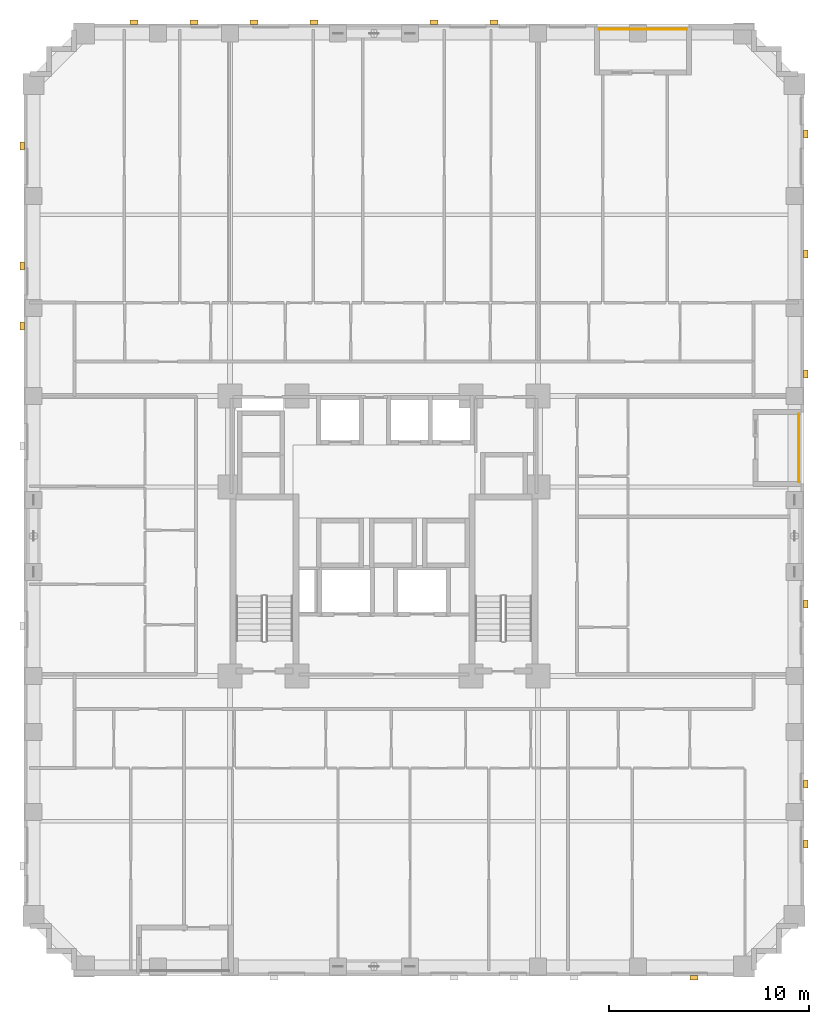
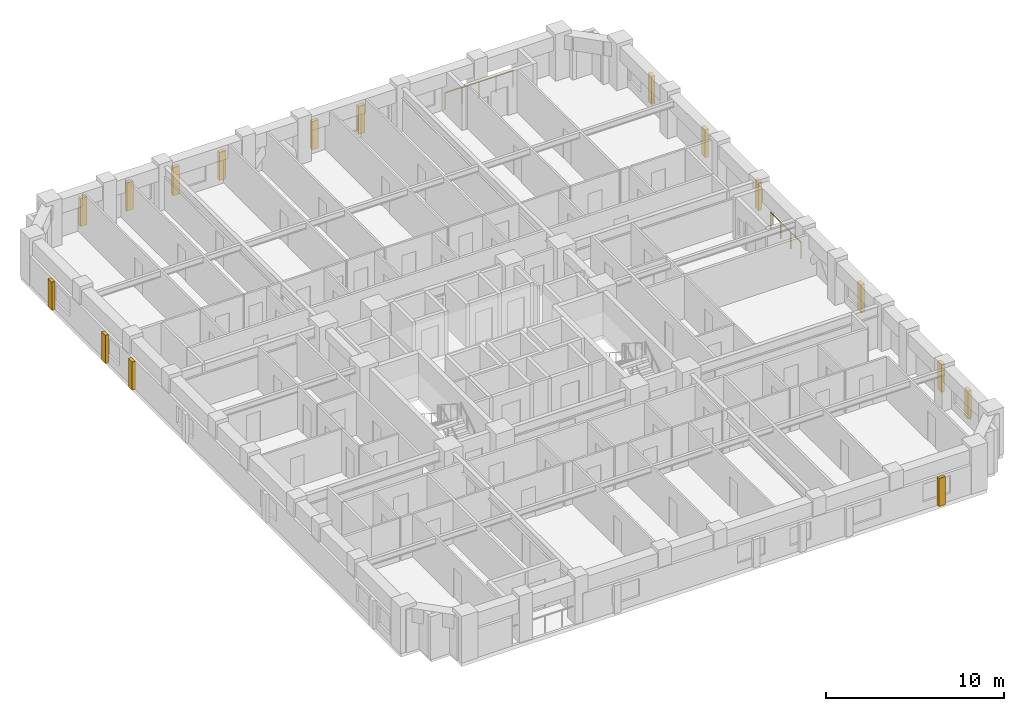
# One storey, part 14 of 14: 16 coverings, 2 railings.
"""IFC4 building model written with IfcOpenShell, lengths in metres."""

from ifc_helpers import new_model, si_unit, derived_unit, direction, frame, origin, origin_2d, place, context, subcontext, project, spatial, rectangle, circle, extrude, material, layer, layer_set, type_object, element, save


model = new_model("IFC4")

# Units and contexts
model_context = context("Model", 3, precision=1e-05, world=origin(), true_north=direction((0.0, 1.0)))
body_context = subcontext(model_context, "Body", "Model", "MODEL_VIEW")
ifc_project = project(units=[si_unit("LENGTHUNIT", "METRE"), si_unit("AREAUNIT", "SQUARE_METRE"), si_unit("VOLUMEUNIT", "CUBIC_METRE"), si_unit("PLANEANGLEUNIT", "RADIAN"), si_unit("MASSUNIT", "GRAM", prefix="KILO"), derived_unit("THERMALTRANSMITTANCEUNIT", [(si_unit("MASSUNIT", "GRAM", prefix="KILO"), 1), (si_unit("TIMEUNIT", "SECOND"), -3), (si_unit("THERMODYNAMICTEMPERATUREUNIT", "KELVIN"), -1)])], contexts=[model_context])

# Site, building, storey
site_placement = place(None, origin())
site = spatial("IfcSite", under=ifc_project, at=site_placement, CompositionType="ELEMENT")
building_placement = place(site_placement, origin())
building = spatial("IfcBuilding", under=site, at=building_placement, Name="Korrvale Station Residences", CompositionType="ELEMENT")
storey_placement = place(building_placement, frame((0.0, 0.0, 48.199951171875)))
storey = spatial("IfcBuildingStorey", under=building, at=storey_placement, Name="L12", CompositionType="ELEMENT", Elevation=48.199951171875)

# Coverings
ifc_material_1 = material(Name="Architectural precast concrete C45/55", Category="concrete")
ifc_layer = layer(ifc_material_1, 0.219970703125, Name="Architectural precast concrete C45/55")
ifc_layer_set = layer_set([ifc_layer], Name="Architectural precast concrete C45/55")
covering_type = type_object("IfcCoveringType", Name="COV-PIER-400", PredefinedType="CLADDING", material=ifc_layer_set)
for number, where, z_axis, x_axis, name in (
    (1, (41.0, -0.090087890625, 0.02490234375), (0.0, 0.0, 1.0), (1.0, 0.0, 0.0), "L12 Architectural Precast Facade Pier 01"),
    (2, (13.0, 47.68994140625, 0.02490234375), (0.0, 0.0, 1.0), (1.0, 0.0, 0.0), "L12 Architectural Precast Facade Pier 06"),
    (3, (16.0, 47.68994140625, 0.02490234375), (0.0, 0.0, 1.0), (1.0, 0.0, 0.0), "L12 Architectural Precast Facade Pier 07"),
    (4, (19.0, 47.68994140625, 0.02490234375), (0.0, 0.0, 1.0), (1.0, 0.0, 0.0), "L12 Architectural Precast Facade Pier 08"),
    (5, (22.0, 47.68994140625, 0.02490234375), (0.0, 0.0, 1.0), (1.0, 0.0, 0.0), "L12 Architectural Precast Facade Pier 09"),
    (6, (28.0, 47.68994140625, 0.02490234375), (0.0, 0.0, 1.0), (1.0, 0.0, 0.0), "L12 Architectural Precast Facade Pier 10"),
    (7, (31.0, 47.68994140625, 0.02490234375), (0.0, 0.0, 1.0), (1.0, 0.0, 0.0), "L12 Architectural Precast Facade Pier 11"),
    (8, (7.409912109375, 32.5, 0.02490234375), (0.0, 0.0, 1.0), (0.0, 1.0, 0.0), "L12 Architectural Precast Facade Pier 15"),
    (9, (7.409912109375, 35.5, 0.02490234375), (0.0, 0.0, 1.0), (0.0, 1.0, 0.0), "L12 Architectural Precast Facade Pier 16"),
    (10, (7.409912109375, 41.5, 0.02490234375), (0.0, 0.0, 1.0), (0.0, 1.0, 0.0), "L12 Architectural Precast Facade Pier 17"),
    (11, (46.590087890625, 42.10009765625, 0.02490234375), (0.0, 0.0, 1.0), (0.0, 1.0, 0.0), "L12 Architectural Precast Facade Pier 18"),
    (12, (46.590087890625, 36.10009765625, 0.02490234375), (0.0, 0.0, 1.0), (0.0, 1.0, 0.0), "L12 Architectural Precast Facade Pier 19"),
    (13, (46.590087890625, 30.10009765625, 0.02490234375), (0.0, 0.0, 1.0), (0.0, 1.0, 0.0), "L12 Architectural Precast Facade Pier 20"),
    (14, (46.590087890625, 18.60009765625, 0.02490234375), (0.0, 0.0, 1.0), (0.0, 1.0, 0.0), "L12 Architectural Precast Facade Pier 21"),
    (15, (46.590087890625, 9.60009765625, 0.02490234375), (0.0, 0.0, 1.0), (0.0, 1.0, 0.0), "L12 Architectural Precast Facade Pier 22"),
    (16, (46.590087890625, 6.60009765625, 0.02490234375), (0.0, 0.0, 1.0), (0.0, 1.0, 0.0), "L12 Architectural Precast Facade Pier 23"),
):
    element("IfcCovering", number, at=place(storey_placement, frame(where, z_axis=z_axis, x_axis=x_axis)), inside=storey, type_object=covering_type, Name=name, PredefinedType="CLADDING", context=body_context, shape_type="SweptSolid", body=[
        extrude(rectangle(XDim=0.419921875, YDim=0.219970703125, at=origin_2d()), origin(), (0.0, 0.0, 1.0), 1.925048828125),
    ])

# Railings
ifc_material_2 = material(Name="Powder-coated aluminium picket loggia guard", Category="aluminium")
railing_type = type_object("IfcRailingType", Name="RLG-BAL-1150", PredefinedType="GUARDRAIL", material=ifc_material_2)
railing_1_placement = place(storey_placement, frame((36.25, 47.330078125, 0.0)))
element("IfcRailing", 17, at=railing_1_placement, inside=storey, type_object=railing_type, Name="L12 Recessed Loggia Guardrail BAL-L12-N1", PredefinedType="GUARDRAIL", context=body_context, shape_type="SweptSolid", body=[
    extrude(circle(Radius=0.02392578125, at=origin_2d()), frame((0.0, 0.0, 1.1259765625), z_axis=(1.0, 0.0, 0.0), x_axis=(0.0, 1.0, 0.0)), (0.0, 0.0, 1.0), 4.39990234375),
    extrude(circle(Radius=0.02099609375, at=origin_2d()), origin(), (0.0, 0.0, 1.0), 1.101806640625),
    extrude(circle(Radius=0.02099609375, at=origin_2d()), frame((1.10009765625, 0.0, 0.0)), (0.0, 0.0, 1.0), 1.101806640625),
    extrude(circle(Radius=0.02099609375, at=origin_2d()), frame((2.199951171875, 0.0, 0.0)), (0.0, 0.0, 1.0), 1.101806640625),
    extrude(circle(Radius=0.02099609375, at=origin_2d()), frame((3.2998046875, 0.0, 0.0)), (0.0, 0.0, 1.0), 1.101806640625),
    extrude(circle(Radius=0.02099609375, at=origin_2d()), frame((4.39990234375, 0.0, 0.0)), (0.0, 0.0, 1.0), 1.101806640625),
])
railing_2_placement = place(storey_placement, frame((46.22998046875, 24.699951171875, 0.0)))
element("IfcRailing", 18, at=railing_2_placement, inside=storey, type_object=railing_type, Name="L12 Recessed Loggia Guardrail BAL-L12-E1", PredefinedType="GUARDRAIL", context=body_context, shape_type="SweptSolid", body=[
    extrude(circle(Radius=0.02392578125, at=origin_2d()), frame((0.0, 0.0, 1.1259765625), z_axis=(0.0, 1.0, 0.0), x_axis=(-1.0, 0.0, 0.0)), (0.0, 0.0, 1.0), 3.400146484375),
    extrude(circle(Radius=0.02099609375, at=origin_2d()), origin(), (0.0, 0.0, 1.0), 1.101806640625),
    extrude(circle(Radius=0.02099609375, at=origin_2d()), frame((0.0, 1.13330078125, 0.0)), (0.0, 0.0, 1.0), 1.101806640625),
    extrude(circle(Radius=0.02099609375, at=origin_2d()), frame((0.0, 2.266845703125, 0.0)), (0.0, 0.0, 1.0), 1.101806640625),
    extrude(circle(Radius=0.02099609375, at=origin_2d()), frame((0.0, 3.400146484375, 0.0)), (0.0, 0.0, 1.0), 1.101806640625),
])

save(model, "model.ifc")
